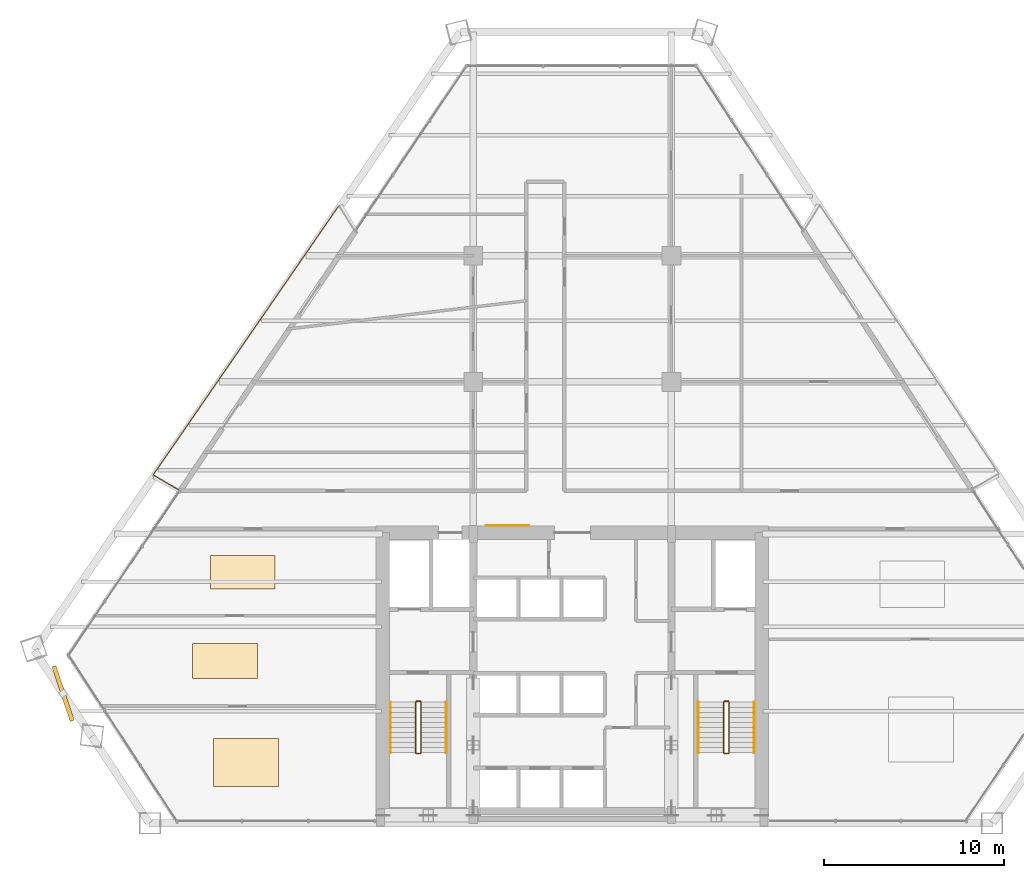
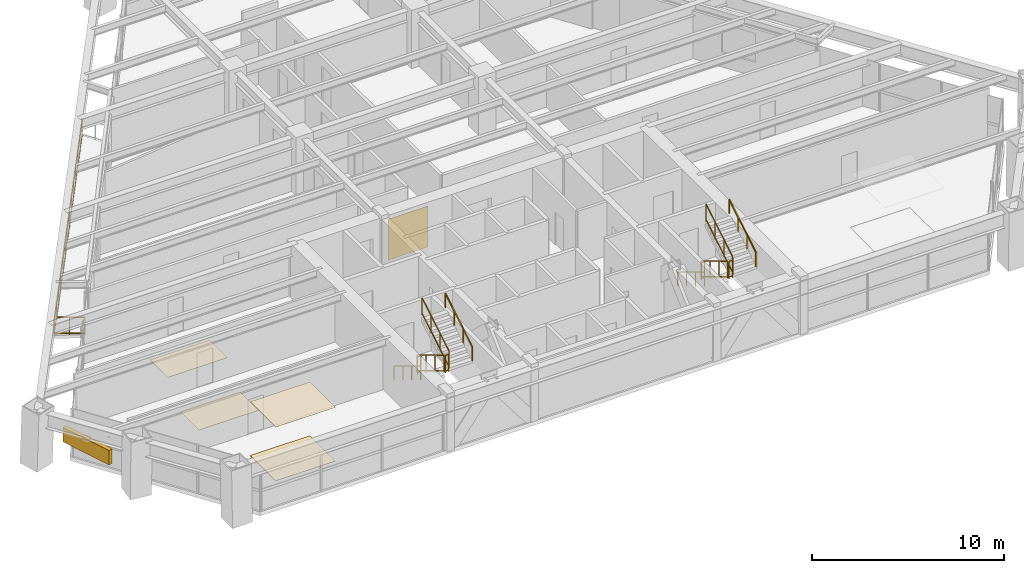
# One storey, part 13 of 14: 14 railings, 5 coverings, 1 shading device.
"""IFC4 building model written with IfcOpenShell, lengths in metres."""

from ifc_helpers import new_model, si_unit, direction, frame, origin, origin_2d, place, context, subcontext, project, spatial, rectangle, extrude, source, transform, mapped, material, layer, layer_set, type_object, type_shapes, element, save


model = new_model("IFC4")

# Units and contexts
model_context = context("Model", 3, precision=1e-05, world=origin(), true_north=direction((0.0, 1.0)))
body_context = subcontext(model_context, "Body", "Model", "MODEL_VIEW")
ifc_project = project(units=[si_unit("LENGTHUNIT", "METRE"), si_unit("AREAUNIT", "SQUARE_METRE"), si_unit("VOLUMEUNIT", "CUBIC_METRE"), si_unit("PLANEANGLEUNIT", "RADIAN"), si_unit("MASSUNIT", "GRAM", prefix="KILO")], contexts=[model_context])

# Site, building, storey
site_placement = place(None, origin())
site = spatial("IfcSite", under=ifc_project, at=site_placement, CompositionType="ELEMENT")
building_placement = place(site_placement, origin())
building = spatial("IfcBuilding", under=site, at=building_placement, Name="Varnakhor Terracotta Tower", CompositionType="ELEMENT")
storey_placement = place(building_placement, frame((0.0, 0.0, 84.0)))
storey = spatial("IfcBuildingStorey", under=building, at=storey_placement, Name="L20", CompositionType="ELEMENT", Elevation=84.0)

# Railings
ifc_material_1 = material(Name="Stainless Steel & Laminated Glass Guardrail", Category="steel")
railing_type_1 = type_object("IfcRailingType", Name="RLG-LOGGIA-GUARD-1150", PredefinedType="GUARDRAIL", material=ifc_material_1)
railing_1_placement = place(storey_placement, frame((-21.89697265625, 18.51806640625, 0.0)))
element("IfcRailing", 1, at=railing_1_placement, inside=storey, type_object=railing_type_1, Name="L20 W Loggia Glass Guard 1", PredefinedType="GUARDRAIL", context=body_context, shape_type="SweptSolid", body=[
    extrude(rectangle(XDim=0.048095703125, YDim=0.048095703125, at=origin_2d()), frame((0.0, 0.0, 1.1259765625), z_axis=(-0.860549365418, 0.50936704809, 0.0), x_axis=(-0.50936704809, -0.860549365418, 0.0)), (0.0, 0.0, 1.0), 1.598876953125),
    extrude(rectangle(XDim=0.048095703125, YDim=0.048095703125, at=origin_2d()), frame((0.0, 0.0, 0.10009765625), z_axis=(-0.860549365418, 0.50936704809, 0.0), x_axis=(-0.50936704809, -0.860549365418, 0.0)), (0.0, 0.0, 1.0), 1.598876953125),
    extrude(rectangle(XDim=0.0419921875, YDim=0.0419921875, at=origin_2d()), origin(), (0.0, 0.0, 1.0), 1.101806640625),
    extrude(rectangle(XDim=0.0419921875, YDim=0.0419921875, at=origin_2d()), frame((-0.68798828125, 0.4072265625, 0.0)), (0.0, 0.0, 1.0), 1.101806640625),
    extrude(rectangle(XDim=0.0419921875, YDim=0.0419921875, at=origin_2d()), frame((-1.3759765625, 0.814453125, 0.0)), (0.0, 0.0, 1.0), 1.101806640625),
])
railing_2_placement = place(storey_placement, frame((-23.27294921875, 19.33251953125, 0.0)))
element("IfcRailing", 2, at=railing_2_placement, inside=storey, type_object=railing_type_1, Name="L20 W Loggia Glass Guard 2", PredefinedType="GUARDRAIL", context=body_context, shape_type="SweptSolid", body=[
    extrude(rectangle(XDim=0.048095703125, YDim=0.048095703125, at=origin_2d()), frame((0.0, 0.0, 1.1259765625), z_axis=(0.567685186366, 0.82324572831, 0.0), x_axis=(-0.82324572831, 0.567685186366, 0.0)), (0.0, 0.0, 1.0), 18.15380859375),
    extrude(rectangle(XDim=0.048095703125, YDim=0.048095703125, at=origin_2d()), frame((0.0, 0.0, 0.10009765625), z_axis=(0.567685186366, 0.82324572831, 0.0), x_axis=(-0.82324572831, 0.567685186366, 0.0)), (0.0, 0.0, 1.0), 18.15380859375),
    extrude(rectangle(XDim=0.0419921875, YDim=0.0419921875, at=origin_2d()), origin(), (0.0, 0.0, 1.0), 1.101806640625),
    extrude(rectangle(XDim=0.0419921875, YDim=0.0419921875, at=origin_2d()), frame((0.792724609375, 1.149658203125, 0.0)), (0.0, 0.0, 1.0), 1.101806640625),
    extrude(rectangle(XDim=0.0419921875, YDim=0.0419921875, at=origin_2d()), frame((1.58544921875, 2.29931640625, 0.0)), (0.0, 0.0, 1.0), 1.101806640625),
    extrude(rectangle(XDim=0.0419921875, YDim=0.0419921875, at=origin_2d()), frame((2.378173828125, 3.448974609375, 0.0)), (0.0, 0.0, 1.0), 1.101806640625),
    extrude(rectangle(XDim=0.0419921875, YDim=0.0419921875, at=origin_2d()), frame((3.1708984375, 4.598388671875, 0.0)), (0.0, 0.0, 1.0), 1.101806640625),
    extrude(rectangle(XDim=0.0419921875, YDim=0.0419921875, at=origin_2d()), frame((3.963623046875, 5.748046875, 0.0)), (0.0, 0.0, 1.0), 1.101806640625),
    extrude(rectangle(XDim=0.0419921875, YDim=0.0419921875, at=origin_2d()), frame((4.75634765625, 6.897705078125, 0.0)), (0.0, 0.0, 1.0), 1.101806640625),
    extrude(rectangle(XDim=0.0419921875, YDim=0.0419921875, at=origin_2d()), frame((5.54931640625, 8.04736328125, 0.0)), (0.0, 0.0, 1.0), 1.101806640625),
    extrude(rectangle(XDim=0.0419921875, YDim=0.0419921875, at=origin_2d()), frame((6.342041015625, 9.197021484375, 0.0)), (0.0, 0.0, 1.0), 1.101806640625),
    extrude(rectangle(XDim=0.0419921875, YDim=0.0419921875, at=origin_2d()), frame((7.134765625, 10.3466796875, 0.0)), (0.0, 0.0, 1.0), 1.101806640625),
    extrude(rectangle(XDim=0.0419921875, YDim=0.0419921875, at=origin_2d()), frame((7.927490234375, 11.49609375, 0.0)), (0.0, 0.0, 1.0), 1.101806640625),
    extrude(rectangle(XDim=0.0419921875, YDim=0.0419921875, at=origin_2d()), frame((8.72021484375, 12.645751953125, 0.0)), (0.0, 0.0, 1.0), 1.101806640625),
    extrude(rectangle(XDim=0.0419921875, YDim=0.0419921875, at=origin_2d()), frame((9.512939453125, 13.79541015625, 0.0)), (0.0, 0.0, 1.0), 1.101806640625),
    extrude(rectangle(XDim=0.0419921875, YDim=0.0419921875, at=origin_2d()), frame((10.3056640625, 14.945068359375, 0.0)), (0.0, 0.0, 1.0), 1.101806640625),
])
ifc_material_2 = material(Name="Painted Steel Stairwell Guardrail", Category="steel")
railing_type_2 = type_object("IfcRailingType", Name="RLG-STAIR-GUARD-1120", PredefinedType="GUARDRAIL", material=ifc_material_2)
railing_3_placement = place(storey_placement, frame((-8.699951171875, 6.7099609375, 0.168212890625)))
element("IfcRailing", 3, at=railing_3_placement, inside=storey, type_object=railing_type_2, Name="L20 ST-1 stair guard 1", PredefinedType="GUARDRAIL", context=body_context, shape_type="SweptSolid", body=[
    extrude(rectangle(XDim=0.048095703125, YDim=0.048095703125, at=origin_2d()), frame((0.0, 0.0, 1.09619140625), z_axis=(0.0, -0.857242210791, 0.514913383045), x_axis=(1.0, 0.0, 0.0)), (0.0, 0.0, 1.0), 3.266357421875),
    extrude(rectangle(XDim=0.048095703125, YDim=0.048095703125, at=origin_2d()), frame((0.0, 0.0, 0.10009765625), z_axis=(0.0, -0.857242210791, 0.514913383045), x_axis=(1.0, 0.0, 0.0)), (0.0, 0.0, 1.0), 3.266357421875),
    extrude(rectangle(XDim=0.0419921875, YDim=0.0419921875, at=origin_2d()), origin(), (0.0, 0.0, 1.0), 1.072021484375),
    extrude(rectangle(XDim=0.0419921875, YDim=0.0419921875, at=origin_2d()), frame((0.0, -0.933349609375, 0.560546875)), (0.0, 0.0, 1.0), 1.072021484375),
    extrude(rectangle(XDim=0.0419921875, YDim=0.0419921875, at=origin_2d()), frame((0.0, -1.86669921875, 1.121337890625)), (0.0, 0.0, 1.0), 1.072021484375),
    extrude(rectangle(XDim=0.0419921875, YDim=0.0419921875, at=origin_2d()), frame((0.0, -2.800048828125, 1.681884765625)), (0.0, 0.0, 1.0), 1.072021484375),
])
railing_4_placement = place(storey_placement, frame((-8.64990234375, 3.860107421875, 1.85009765625)))
element("IfcRailing", 4, at=railing_4_placement, inside=storey, type_object=railing_type_2, Name="L20 ST-1 stair guard 2", PredefinedType="GUARDRAIL", context=body_context, shape_type="SweptSolid", body=[
    extrude(rectangle(XDim=0.048095703125, YDim=0.048095703125, at=origin_2d()), frame((0.0, 0.0, 1.09619140625), z_axis=(1.0, 0.0, 0.0), x_axis=(0.0, 1.0, 0.0)), (0.0, 0.0, 1.0), 0.199951171875),
    extrude(rectangle(XDim=0.048095703125, YDim=0.048095703125, at=origin_2d()), frame((0.0, 0.0, 0.10009765625), z_axis=(1.0, 0.0, 0.0), x_axis=(0.0, 1.0, 0.0)), (0.0, 0.0, 1.0), 0.199951171875),
    extrude(rectangle(XDim=0.0419921875, YDim=0.0419921875, at=origin_2d()), origin(), (0.0, 0.0, 1.0), 1.072021484375),
    extrude(rectangle(XDim=0.0419921875, YDim=0.0419921875, at=origin_2d()), frame((0.199951171875, 0.0, 0.0)), (0.0, 0.0, 1.0), 1.072021484375),
])
railing_5_placement = place(storey_placement, frame((-8.39990234375, 3.909912109375, 2.01806640625)))
element("IfcRailing", 5, at=railing_5_placement, inside=storey, type_object=railing_type_2, Name="L20 ST-1 stair guard 3", PredefinedType="GUARDRAIL", context=body_context, shape_type="SweptSolid", body=[
    extrude(rectangle(XDim=0.048095703125, YDim=0.048095703125, at=origin_2d()), frame((0.0, 0.0, 1.09619140625), z_axis=(0.0, 0.857242210791, 0.514913383045), x_axis=(-1.0, 0.0, 0.0)), (0.0, 0.0, 1.0), 3.266357421875),
    extrude(rectangle(XDim=0.048095703125, YDim=0.048095703125, at=origin_2d()), frame((0.0, 0.0, 0.10009765625), z_axis=(0.0, 0.857242210791, 0.514913383045), x_axis=(-1.0, 0.0, 0.0)), (0.0, 0.0, 1.0), 3.266357421875),
    extrude(rectangle(XDim=0.0419921875, YDim=0.0419921875, at=origin_2d()), origin(), (0.0, 0.0, 1.0), 1.072021484375),
    extrude(rectangle(XDim=0.0419921875, YDim=0.0419921875, at=origin_2d()), frame((0.0, 0.933349609375, 0.560546875)), (0.0, 0.0, 1.0), 1.072021484375),
    extrude(rectangle(XDim=0.0419921875, YDim=0.0419921875, at=origin_2d()), frame((0.0, 1.86669921875, 1.121337890625)), (0.0, 0.0, 1.0), 1.072021484375),
    extrude(rectangle(XDim=0.0419921875, YDim=0.0419921875, at=origin_2d()), frame((0.0, 2.800048828125, 1.681884765625)), (0.0, 0.0, 1.0), 1.072021484375),
])
railing_6_placement = place(storey_placement, frame((-8.64990234375, 6.760009765625, 0.0)))
element("IfcRailing", 6, at=railing_6_placement, inside=storey, type_object=railing_type_2, Name="L20 ST-1 stair guard 4", PredefinedType="GUARDRAIL", context=body_context, shape_type="SweptSolid", body=[
    extrude(rectangle(XDim=0.048095703125, YDim=0.048095703125, at=origin_2d()), frame((0.0, 0.0, 1.09619140625), z_axis=(1.0, 0.0, 0.0), x_axis=(0.0, 1.0, 0.0)), (0.0, 0.0, 1.0), 0.199951171875),
    extrude(rectangle(XDim=0.048095703125, YDim=0.048095703125, at=origin_2d()), frame((0.0, 0.0, 0.10009765625), z_axis=(1.0, 0.0, 0.0), x_axis=(0.0, 1.0, 0.0)), (0.0, 0.0, 1.0), 0.199951171875),
    extrude(rectangle(XDim=0.0419921875, YDim=0.0419921875, at=origin_2d()), origin(), (0.0, 0.0, 1.0), 1.072021484375),
    extrude(rectangle(XDim=0.0419921875, YDim=0.0419921875, at=origin_2d()), frame((0.199951171875, 0.0, 0.0)), (0.0, 0.0, 1.0), 1.072021484375),
])
railing_7_placement = place(storey_placement, frame((8.39990234375, 6.7099609375, 0.168212890625)))
element("IfcRailing", 7, at=railing_7_placement, inside=storey, type_object=railing_type_2, Name="L20 ST-2 stair guard 1", PredefinedType="GUARDRAIL", context=body_context, shape_type="SweptSolid", body=[
    extrude(rectangle(XDim=0.048095703125, YDim=0.048095703125, at=origin_2d()), frame((0.0, 0.0, 1.09619140625), z_axis=(0.0, -0.857242210791, 0.514913383045), x_axis=(1.0, 0.0, 0.0)), (0.0, 0.0, 1.0), 3.266357421875),
    extrude(rectangle(XDim=0.048095703125, YDim=0.048095703125, at=origin_2d()), frame((0.0, 0.0, 0.10009765625), z_axis=(0.0, -0.857242210791, 0.514913383045), x_axis=(1.0, 0.0, 0.0)), (0.0, 0.0, 1.0), 3.266357421875),
    extrude(rectangle(XDim=0.0419921875, YDim=0.0419921875, at=origin_2d()), origin(), (0.0, 0.0, 1.0), 1.072021484375),
    extrude(rectangle(XDim=0.0419921875, YDim=0.0419921875, at=origin_2d()), frame((0.0, -0.933349609375, 0.560546875)), (0.0, 0.0, 1.0), 1.072021484375),
    extrude(rectangle(XDim=0.0419921875, YDim=0.0419921875, at=origin_2d()), frame((0.0, -1.86669921875, 1.121337890625)), (0.0, 0.0, 1.0), 1.072021484375),
    extrude(rectangle(XDim=0.0419921875, YDim=0.0419921875, at=origin_2d()), frame((0.0, -2.800048828125, 1.681884765625)), (0.0, 0.0, 1.0), 1.072021484375),
])
railing_8_placement = place(storey_placement, frame((8.449951171875, 3.860107421875, 1.85009765625)))
element("IfcRailing", 8, at=railing_8_placement, inside=storey, type_object=railing_type_2, Name="L20 ST-2 stair guard 2", PredefinedType="GUARDRAIL", context=body_context, shape_type="SweptSolid", body=[
    extrude(rectangle(XDim=0.048095703125, YDim=0.048095703125, at=origin_2d()), frame((0.0, 0.0, 1.09619140625), z_axis=(1.0, 0.0, 0.0), x_axis=(0.0, 1.0, 0.0)), (0.0, 0.0, 1.0), 0.199951171875),
    extrude(rectangle(XDim=0.048095703125, YDim=0.048095703125, at=origin_2d()), frame((0.0, 0.0, 0.10009765625), z_axis=(1.0, 0.0, 0.0), x_axis=(0.0, 1.0, 0.0)), (0.0, 0.0, 1.0), 0.199951171875),
    extrude(rectangle(XDim=0.0419921875, YDim=0.0419921875, at=origin_2d()), origin(), (0.0, 0.0, 1.0), 1.072021484375),
    extrude(rectangle(XDim=0.0419921875, YDim=0.0419921875, at=origin_2d()), frame((0.199951171875, 0.0, 0.0)), (0.0, 0.0, 1.0), 1.072021484375),
])
railing_9_placement = place(storey_placement, frame((8.699951171875, 3.909912109375, 2.01806640625)))
element("IfcRailing", 9, at=railing_9_placement, inside=storey, type_object=railing_type_2, Name="L20 ST-2 stair guard 3", PredefinedType="GUARDRAIL", context=body_context, shape_type="SweptSolid", body=[
    extrude(rectangle(XDim=0.048095703125, YDim=0.048095703125, at=origin_2d()), frame((0.0, 0.0, 1.09619140625), z_axis=(0.0, 0.857242210791, 0.514913383045), x_axis=(-1.0, 0.0, 0.0)), (0.0, 0.0, 1.0), 3.266357421875),
    extrude(rectangle(XDim=0.048095703125, YDim=0.048095703125, at=origin_2d()), frame((0.0, 0.0, 0.10009765625), z_axis=(0.0, 0.857242210791, 0.514913383045), x_axis=(-1.0, 0.0, 0.0)), (0.0, 0.0, 1.0), 3.266357421875),
    extrude(rectangle(XDim=0.0419921875, YDim=0.0419921875, at=origin_2d()), origin(), (0.0, 0.0, 1.0), 1.072021484375),
    extrude(rectangle(XDim=0.0419921875, YDim=0.0419921875, at=origin_2d()), frame((0.0, 0.933349609375, 0.560546875)), (0.0, 0.0, 1.0), 1.072021484375),
    extrude(rectangle(XDim=0.0419921875, YDim=0.0419921875, at=origin_2d()), frame((0.0, 1.86669921875, 1.121337890625)), (0.0, 0.0, 1.0), 1.072021484375),
    extrude(rectangle(XDim=0.0419921875, YDim=0.0419921875, at=origin_2d()), frame((0.0, 2.800048828125, 1.681884765625)), (0.0, 0.0, 1.0), 1.072021484375),
])
railing_10_placement = place(storey_placement, frame((8.449951171875, 6.760009765625, 0.0)))
element("IfcRailing", 10, at=railing_10_placement, inside=storey, type_object=railing_type_2, Name="L20 ST-2 stair guard 4", PredefinedType="GUARDRAIL", context=body_context, shape_type="SweptSolid", body=[
    extrude(rectangle(XDim=0.048095703125, YDim=0.048095703125, at=origin_2d()), frame((0.0, 0.0, 1.09619140625), z_axis=(1.0, 0.0, 0.0), x_axis=(0.0, 1.0, 0.0)), (0.0, 0.0, 1.0), 0.199951171875),
    extrude(rectangle(XDim=0.048095703125, YDim=0.048095703125, at=origin_2d()), frame((0.0, 0.0, 0.10009765625), z_axis=(1.0, 0.0, 0.0), x_axis=(0.0, 1.0, 0.0)), (0.0, 0.0, 1.0), 0.199951171875),
    extrude(rectangle(XDim=0.0419921875, YDim=0.0419921875, at=origin_2d()), origin(), (0.0, 0.0, 1.0), 1.072021484375),
    extrude(rectangle(XDim=0.0419921875, YDim=0.0419921875, at=origin_2d()), frame((0.199951171875, 0.0, 0.0)), (0.0, 0.0, 1.0), 1.072021484375),
])
ifc_material_3 = material(Name="Brushed Stainless Steel Handrail", Category="steel")
railing_type_3 = type_object("IfcRailingType", Name="RLG-STAIR-HANDRAIL-920", PredefinedType="HANDRAIL", material=ifc_material_3)
railing_11_placement = place(storey_placement, frame((-10.10009765625, 6.7099609375, 0.168212890625)))
element("IfcRailing", 11, at=railing_11_placement, inside=storey, type_object=railing_type_3, Name="L20 ST-1 stair handrail 1", PredefinedType="HANDRAIL", context=body_context, shape_type="SweptSolid", body=[
    extrude(rectangle(XDim=0.048095703125, YDim=0.048095703125, at=origin_2d()), frame((0.0, 0.0, 0.89599609375), z_axis=(0.0, -0.857242210791, 0.514913383045), x_axis=(1.0, 0.0, 0.0)), (0.0, 0.0, 1.0), 3.266357421875),
    extrude(rectangle(XDim=0.0419921875, YDim=0.0419921875, at=origin_2d()), origin(), (0.0, 0.0, 1.0), 0.871826171875),
    extrude(rectangle(XDim=0.0419921875, YDim=0.0419921875, at=origin_2d()), frame((0.0, -0.933349609375, 0.560546875)), (0.0, 0.0, 1.0), 0.871826171875),
    extrude(rectangle(XDim=0.0419921875, YDim=0.0419921875, at=origin_2d()), frame((0.0, -1.86669921875, 1.121337890625)), (0.0, 0.0, 1.0), 0.871826171875),
    extrude(rectangle(XDim=0.0419921875, YDim=0.0419921875, at=origin_2d()), frame((0.0, -2.800048828125, 1.681884765625)), (0.0, 0.0, 1.0), 0.871826171875),
])
railing_12_placement = place(storey_placement, frame((-7.0, 3.909912109375, 2.01806640625)))
element("IfcRailing", 12, at=railing_12_placement, inside=storey, type_object=railing_type_3, Name="L20 ST-1 stair handrail 2", PredefinedType="HANDRAIL", context=body_context, shape_type="SweptSolid", body=[
    extrude(rectangle(XDim=0.048095703125, YDim=0.048095703125, at=origin_2d()), frame((0.0, 0.0, 0.89599609375), z_axis=(0.0, 0.857242210791, 0.514913383045), x_axis=(-1.0, 0.0, 0.0)), (0.0, 0.0, 1.0), 3.266357421875),
    extrude(rectangle(XDim=0.0419921875, YDim=0.0419921875, at=origin_2d()), origin(), (0.0, 0.0, 1.0), 0.871826171875),
    extrude(rectangle(XDim=0.0419921875, YDim=0.0419921875, at=origin_2d()), frame((0.0, 0.933349609375, 0.560546875)), (0.0, 0.0, 1.0), 0.871826171875),
    extrude(rectangle(XDim=0.0419921875, YDim=0.0419921875, at=origin_2d()), frame((0.0, 1.86669921875, 1.121337890625)), (0.0, 0.0, 1.0), 0.871826171875),
    extrude(rectangle(XDim=0.0419921875, YDim=0.0419921875, at=origin_2d()), frame((0.0, 2.800048828125, 1.681884765625)), (0.0, 0.0, 1.0), 0.871826171875),
])
railing_13_placement = place(storey_placement, frame((7.0, 6.7099609375, 0.168212890625)))
element("IfcRailing", 13, at=railing_13_placement, inside=storey, type_object=railing_type_3, Name="L20 ST-2 stair handrail 1", PredefinedType="HANDRAIL", context=body_context, shape_type="SweptSolid", body=[
    extrude(rectangle(XDim=0.048095703125, YDim=0.048095703125, at=origin_2d()), frame((0.0, 0.0, 0.89599609375), z_axis=(0.0, -0.857242210791, 0.514913383045), x_axis=(1.0, 0.0, 0.0)), (0.0, 0.0, 1.0), 3.266357421875),
    extrude(rectangle(XDim=0.0419921875, YDim=0.0419921875, at=origin_2d()), origin(), (0.0, 0.0, 1.0), 0.871826171875),
    extrude(rectangle(XDim=0.0419921875, YDim=0.0419921875, at=origin_2d()), frame((0.0, -0.933349609375, 0.560546875)), (0.0, 0.0, 1.0), 0.871826171875),
    extrude(rectangle(XDim=0.0419921875, YDim=0.0419921875, at=origin_2d()), frame((0.0, -1.86669921875, 1.121337890625)), (0.0, 0.0, 1.0), 0.871826171875),
    extrude(rectangle(XDim=0.0419921875, YDim=0.0419921875, at=origin_2d()), frame((0.0, -2.800048828125, 1.681884765625)), (0.0, 0.0, 1.0), 0.871826171875),
])
railing_14_placement = place(storey_placement, frame((10.10009765625, 3.909912109375, 2.01806640625)))
element("IfcRailing", 14, at=railing_14_placement, inside=storey, type_object=railing_type_3, Name="L20 ST-2 stair handrail 2", PredefinedType="HANDRAIL", context=body_context, shape_type="SweptSolid", body=[
    extrude(rectangle(XDim=0.048095703125, YDim=0.048095703125, at=origin_2d()), frame((0.0, 0.0, 0.89599609375), z_axis=(0.0, 0.857242210791, 0.514913383045), x_axis=(-1.0, 0.0, 0.0)), (0.0, 0.0, 1.0), 3.266357421875),
    extrude(rectangle(XDim=0.0419921875, YDim=0.0419921875, at=origin_2d()), origin(), (0.0, 0.0, 1.0), 0.871826171875),
    extrude(rectangle(XDim=0.0419921875, YDim=0.0419921875, at=origin_2d()), frame((0.0, 0.933349609375, 0.560546875)), (0.0, 0.0, 1.0), 0.871826171875),
    extrude(rectangle(XDim=0.0419921875, YDim=0.0419921875, at=origin_2d()), frame((0.0, 1.86669921875, 1.121337890625)), (0.0, 0.0, 1.0), 0.871826171875),
    extrude(rectangle(XDim=0.0419921875, YDim=0.0419921875, at=origin_2d()), frame((0.0, 2.800048828125, 1.681884765625)), (0.0, 0.0, 1.0), 0.871826171875),
])

# Shading device
ifc_material_4 = material(Name="Extruded Architectural Terracotta Screen", Category="masonry")
shading_device_type = type_object("IfcShadingDeviceType", Name="TERRACOTTA SOLAR SCREEN W", PredefinedType="USERDEFINED", material=ifc_material_4)
shared_shape_1 = source(origin(), body_context, "Body", "SweptSolid", [
    extrude(rectangle(XDim=3.199951171875, YDim=0.239990234375, at=origin_2d()), origin(), (0.0, 0.0, 1.0), 0.919921875),
])
type_shapes(shading_device_type, [shared_shape_1])
shading_device_placement = place(storey_placement, frame((-28.277587890625, 7.1904296875, 1.617919921875), z_axis=(0.0, 0.0, 1.0), x_axis=(0.319339742213, -0.947640295177, 0.0)))
element("IfcShadingDevice", 15, at=shading_device_placement, inside=storey, type_object=shading_device_type, Name="L20 W Terracotta Solar Screen", ObjectType="SCREEN", PredefinedType="USERDEFINED", context=body_context, shape_type="MappedRepresentation", body=[
    mapped(shared_shape_1, transform((0.0, 0.0, 0.0), scale=1.0)),
])

# Coverings
ifc_material_5 = material(Name="Extruded Architectural Terracotta Cladding", Category="masonry")
ifc_layer_1 = layer(ifc_material_5, 0.044921875, Name="Extruded Architectural Terracotta Cladding")
ifc_layer_set_1 = layer_set([ifc_layer_1], Name="Extruded Architectural Terracotta Cladding")
covering_type_1 = type_object("IfcCoveringType", Name="COV-CLAD-TERRACOTTA", PredefinedType="CLADDING", material=ifc_layer_set_1)
shared_shape_2 = source(origin(), body_context, "Body", "SweptSolid", [
    extrude(rectangle(XDim=2.39990234375, YDim=0.030029296875, at=origin_2d()), origin(), (0.0, 0.0, 1.0), 2.60009765625),
])
type_shapes(covering_type_1, [shared_shape_2])
covering_1_placement = place(storey_placement, frame((-3.60009765625, 16.511962890625, 0.0), z_axis=(0.0, 0.0, 1.0), x_axis=(1.0, 0.0, 0.0)))
element("IfcCovering", 16, at=covering_1_placement, inside=storey, type_object=covering_type_1, Name="L20 Core Lobby Limestone Cladding", PredefinedType="CLADDING", context=body_context, shape_type="MappedRepresentation", body=[
    mapped(shared_shape_2, transform((0.0, 0.0, 0.0), scale=1.0)),
])
ifc_material_6 = material(Name="Honed Riyadh Limestone Flooring", Category="masonry")
ifc_layer_2 = layer(ifc_material_6, 0.030029296875, Name="Honed Riyadh Limestone Flooring")
ifc_layer_set_2 = layer_set([ifc_layer_2], Name="Honed Riyadh Limestone Flooring")
covering_type_2 = type_object("IfcCoveringType", Name="COV-FLOOR-LIMESTONE", PredefinedType="FLOORING", material=ifc_layer_set_2)
shared_shape_3 = source(origin(), body_context, "Body", "SweptSolid", [
    extrude(rectangle(XDim=3.60009765625, YDim=1.950927734375, at=origin_2d()), origin(), (0.0, 0.0, 1.0), 0.02001953125),
])
covering_2_placement = place(storey_placement, frame((-19.281005859375, 9.0, 0.0), z_axis=(0.0, 0.0, 1.0), x_axis=(1.0, 0.0, 0.0)))
element("IfcCovering", 17, at=covering_2_placement, inside=storey, type_object=covering_type_2, Name="L20 Honed Stone Flooring 3", PredefinedType="FLOORING", context=body_context, shape_type="MappedRepresentation", body=[
    mapped(shared_shape_3, transform((0.0, 0.0, 0.0), scale=1.0)),
])
shared_shape_4 = source(origin(), body_context, "Body", "SweptSolid", [
    extrude(rectangle(XDim=3.60009765625, YDim=2.6640625, at=origin_2d()), origin(), (0.0, 0.0, 1.0), 0.02001953125),
])
covering_3_placement = place(storey_placement, frame((-18.126953125, 3.35205078125, 0.0), z_axis=(0.0, 0.0, 1.0), x_axis=(1.0, 0.0, 0.0)))
element("IfcCovering", 18, at=covering_3_placement, inside=storey, type_object=covering_type_2, Name="L20 Honed Stone Flooring 1", PredefinedType="FLOORING", context=body_context, shape_type="MappedRepresentation", body=[
    mapped(shared_shape_4, transform((0.0, 0.0, 0.0), scale=1.0)),
])
ifc_material_7 = material(Name="Perforated Acoustic Mineral-Fibre Ceiling", Category="gypsum")
ifc_layer_3 = layer(ifc_material_7, 0.02490234375, Name="Perforated Acoustic Mineral-Fibre Ceiling")
ifc_layer_set_3 = layer_set([ifc_layer_3], Name="Perforated Acoustic Mineral-Fibre Ceiling")
covering_type_3 = type_object("IfcCoveringType", Name="COV-CEILING-ACOUSTIC", PredefinedType="CEILING", material=ifc_layer_set_3)
shared_shape_5 = source(origin(), body_context, "Body", "SweptSolid", [
    extrude(rectangle(XDim=3.60009765625, YDim=2.6640625, at=origin_2d()), origin(), (0.0, 0.0, 1.0), 0.02392578125),
])
covering_4_placement = place(storey_placement, frame((-18.126953125, 3.35205078125, 3.426025390625), z_axis=(0.0, 0.0, 1.0), x_axis=(1.0, 0.0, 0.0)))
element("IfcCovering", 19, at=covering_4_placement, inside=storey, type_object=covering_type_3, Name="L20 Acoustic Ceiling Panel 1", PredefinedType="CEILING", context=body_context, shape_type="MappedRepresentation", body=[
    mapped(shared_shape_5, transform((0.0, 0.0, 0.0), scale=1.0)),
])
shared_shape_6 = source(origin(), body_context, "Body", "SweptSolid", [
    extrude(rectangle(XDim=3.60009765625, YDim=1.85693359375, at=origin_2d()), origin(), (0.0, 0.0, 1.0), 0.02001953125),
])
covering_5_placement = place(storey_placement, frame((-18.298095703125, 13.9140625, 0.0), z_axis=(0.0, 0.0, 1.0), x_axis=(1.0, 0.0, 0.0)))
element("IfcCovering", 20, at=covering_5_placement, inside=storey, type_object=covering_type_2, Name="L20 Honed Stone Flooring 5", PredefinedType="FLOORING", context=body_context, shape_type="MappedRepresentation", body=[
    mapped(shared_shape_6, transform((0.0, 0.0, 0.0), scale=1.0)),
])

save(model, "model.ifc")
